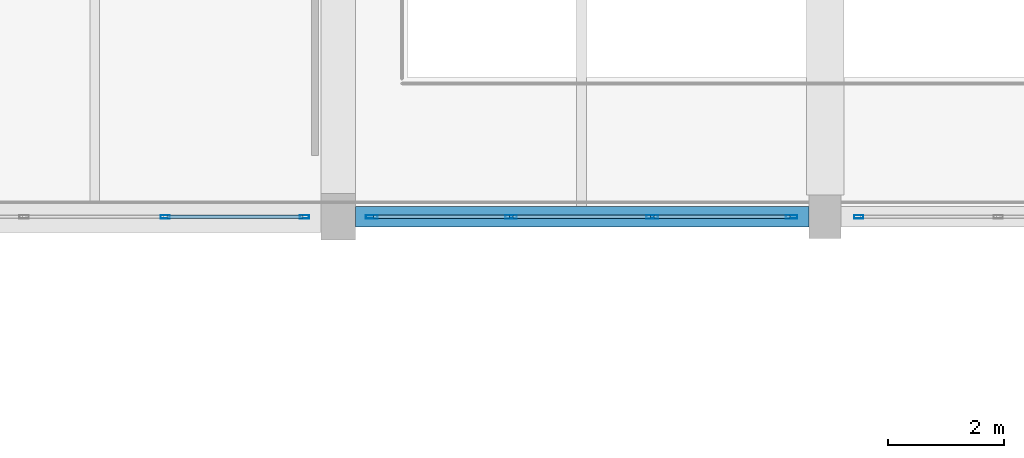
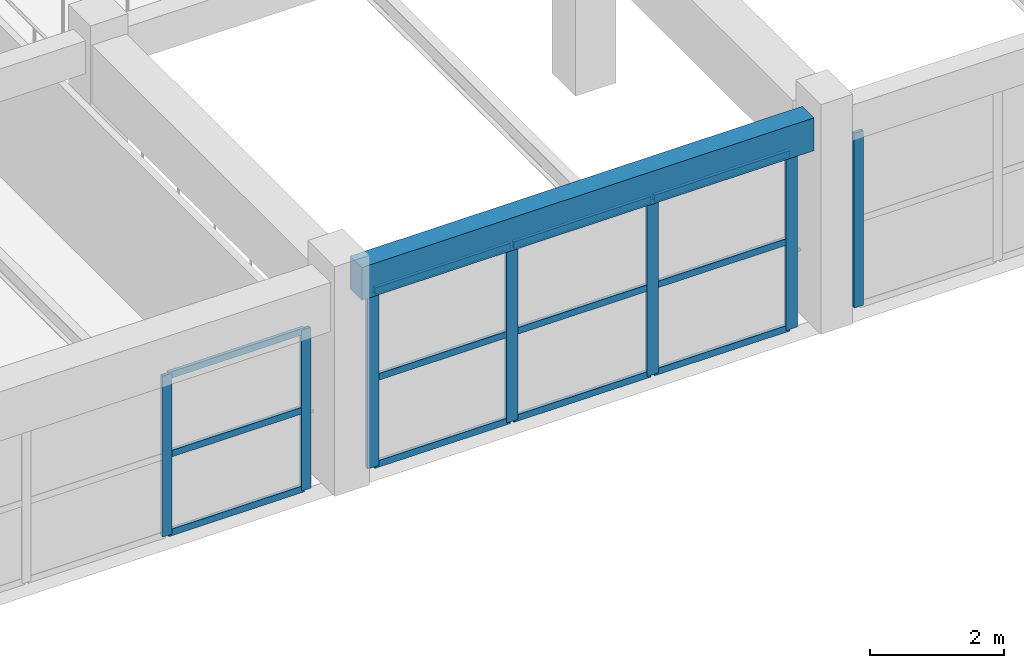
# One storey, part 19 of 71: 19 members, 1 beam, 3 elements without a shape of their own.
"""IFC4 building model written with IfcOpenShell, lengths in metres."""

from ifc_helpers import new_model, si_unit, direction, frame, origin, origin_2d, place, context, subcontext, project, spatial, rectangle, hollow_rectangle, extrude, material, material_profile, profile_set, type_object, element, aggregate, save


model = new_model("IFC4")

# Units and contexts
model_context = context("Model", 3, precision=1e-05, world=origin(), true_north=direction((0.0, 1.0)))
body_context = subcontext(model_context, "Body", "Model", "MODEL_VIEW")
ifc_project = project(units=[si_unit("LENGTHUNIT", "METRE"), si_unit("AREAUNIT", "SQUARE_METRE"), si_unit("VOLUMEUNIT", "CUBIC_METRE"), si_unit("PLANEANGLEUNIT", "RADIAN"), si_unit("MASSUNIT", "GRAM", prefix="KILO")], contexts=[model_context])

# Site, building, storey
site_placement = place(None, origin())
site = spatial("IfcSite", under=ifc_project, at=site_placement, CompositionType="ELEMENT")
building_placement = place(site_placement, origin())
building = spatial("IfcBuilding", under=site, at=building_placement, Name="Korsvaeld Concert Hall", CompositionType="ELEMENT")
storey_placement = place(building_placement, frame((0.0, 0.0, 4.800048828125)))
storey = spatial("IfcBuildingStorey", under=building, at=storey_placement, Name="L01", CompositionType="ELEMENT", Elevation=4.800048828125)

# Beam
ifc_material_1 = material(Name="Concrete C35/45", Category="concrete")
ifc_material_profile_1 = material_profile(ifc_material_1, rectangle(XDim=0.35009765625, YDim=0.60009765625, at=origin_2d()), Name="RC 350x600")
ifc_profile_set_1 = profile_set([ifc_material_profile_1], Name="Concrete C35/45")
beam_type = type_object("IfcBeamType", Name="BM-RC-350x600", PredefinedType="T_BEAM", material=ifc_profile_set_1)
beam_placement = place(storey_placement, frame((92.699951171875, 28.800048828125, 3.5400390625), z_axis=(1.0, 0.0, 0.0), x_axis=(0.0, 1.0, 0.0)))
element("IfcBeam", 1, at=beam_placement, inside=storey, type_object=beam_type, Name="Primary girder 13-14/E L01", PredefinedType="T_BEAM", context=body_context, shape_type="SweptSolid", body=[
    extrude(rectangle(XDim=0.35009765625, YDim=0.60009765625, at=origin_2d()), origin(), (0.0, 0.0, 1.0), 7.824951171875),
])

# Curtain wall, member
ifc_material_2 = material(Name="Anodised bronze and ceramic-fritted safety glass", Category="glass")
curtain_wall_type_1 = type_object("IfcCurtainWallType", Name="CW-TYPE-15", PredefinedType="USERDEFINED", material=ifc_material_2)
curtain_wall_1_placement = place(storey_placement, origin())
curtain_wall_1 = element("IfcCurtainWall", 2, at=curtain_wall_1_placement, inside=storey, type_object=curtain_wall_type_1, Name="Wintergarden foyer curtain wall L01-07", ObjectType="CURTAIN WALL", PredefinedType="USERDEFINED")
ifc_material_3 = material(Name="Anodised architectural bronze aluminium", Category="aluminium")
ifc_material_profile_2 = material_profile(ifc_material_3, hollow_rectangle(XDim=0.06005859375, YDim=0.159912109375, WallThickness=0.00390625, at=origin_2d()), Name="CWM 160x60x4")
ifc_profile_set_2 = profile_set([ifc_material_profile_2], Name="Anodised architectural bronze aluminium")
member_type_1 = type_object("IfcMemberType", Name="CWM-ALUM-160x60", PredefinedType="MULLION", material=ifc_profile_set_2)
member_1_placement = place(storey_placement, frame((101.3798828125, 28.800048828125, 0.0), z_axis=(0.0, 0.0, 1.0), x_axis=(0.0, -1.0, 0.0)))
member_1 = element("IfcMember", 3, at=member_1_placement, type_object=member_type_1, Name="CW-15 mullion 4", PredefinedType="MULLION", context=body_context, shape_type="SweptSolid", body=[
    extrude(hollow_rectangle(XDim=0.06005859375, YDim=0.159912109375, WallThickness=0.00390625, at=origin_2d()), origin(), (0.0, 0.0, 1.0), 3.18994140625),
])
aggregate(curtain_wall_1, [member_1])

# Curtain wall, members
curtain_wall_type_2 = type_object("IfcCurtainWallType", Name="CW-TYPE-09", PredefinedType="USERDEFINED", material=ifc_material_2)
curtain_wall_2_placement = place(storey_placement, origin())
curtain_wall_2 = element("IfcCurtainWall", 4, at=curtain_wall_2_placement, inside=storey, type_object=curtain_wall_type_2, Name="Wintergarden foyer curtain wall L01-09", ObjectType="CURTAIN WALL", PredefinedType="USERDEFINED")
member_2_placement = place(storey_placement, frame((91.820068359375, 28.800048828125, 0.0), z_axis=(0.0, 0.0, 1.0), x_axis=(0.0, -1.0, 0.0)))
member_2 = element("IfcMember", 5, at=member_2_placement, type_object=member_type_1, Name="CW-09 mullion 1", PredefinedType="MULLION", context=body_context, shape_type="SweptSolid", body=[
    extrude(hollow_rectangle(XDim=0.06005859375, YDim=0.159912109375, WallThickness=0.00390625, at=origin_2d()), origin(), (0.0, 0.0, 1.0), 2.93994140625),
])
member_3_placement = place(storey_placement, frame((89.416748046875, 28.800048828125, 0.0), z_axis=(0.0, 0.0, 1.0), x_axis=(0.0, -1.0, 0.0)))
member_3 = element("IfcMember", 6, at=member_3_placement, type_object=member_type_1, Name="CW-09 mullion 2", PredefinedType="MULLION", context=body_context, shape_type="SweptSolid", body=[
    extrude(hollow_rectangle(XDim=0.06005859375, YDim=0.159912109375, WallThickness=0.00390625, at=origin_2d()), origin(), (0.0, 0.0, 1.0), 2.93994140625),
])

curtain_wall_type_3 = type_object("IfcCurtainWallType", Name="CW-TYPE-08", PredefinedType="USERDEFINED", material=ifc_material_2)
curtain_wall_3_placement = place(storey_placement, origin())
curtain_wall_3 = element("IfcCurtainWall", 7, at=curtain_wall_3_placement, inside=storey, type_object=curtain_wall_type_3, Name="Wintergarden foyer curtain wall L01-08", ObjectType="CURTAIN WALL", PredefinedType="USERDEFINED")
ifc_material_profile_3 = material_profile(ifc_material_3, hollow_rectangle(XDim=0.06005859375, YDim=0.199951171875, WallThickness=0.0048828125, at=origin_2d()), Name="CWM 200x60x5")
ifc_profile_set_3 = profile_set([ifc_material_profile_3], Name="Anodised architectural bronze aluminium")
member_type_2 = type_object("IfcMemberType", Name="CWM-ALUM-200x60", PredefinedType="MULLION", material=ifc_profile_set_3)
member_4_placement = place(storey_placement, frame((100.219970703125, 28.800048828125, 0.0), z_axis=(0.0, 0.0, 1.0), x_axis=(0.0, -1.0, 0.0)))
member_4 = element("IfcMember", 8, at=member_4_placement, type_object=member_type_2, Name="CW-08 mullion 1", PredefinedType="MULLION", context=body_context, shape_type="SweptSolid", body=[
    extrude(hollow_rectangle(XDim=0.06005859375, YDim=0.199951171875, WallThickness=0.0048828125, at=origin_2d()), origin(), (0.0, 0.0, 1.0), 3.239990234375),
])
member_5_placement = place(storey_placement, frame((97.816650390625, 28.800048828125, 0.0), z_axis=(0.0, 0.0, 1.0), x_axis=(0.0, -1.0, 0.0)))
member_5 = element("IfcMember", 9, at=member_5_placement, type_object=member_type_2, Name="CW-08 mullion 2", PredefinedType="MULLION", context=body_context, shape_type="SweptSolid", body=[
    extrude(hollow_rectangle(XDim=0.06005859375, YDim=0.199951171875, WallThickness=0.0048828125, at=origin_2d()), origin(), (0.0, 0.0, 1.0), 3.239990234375),
])
member_6_placement = place(storey_placement, frame((95.38330078125, 28.800048828125, 0.0), z_axis=(0.0, 0.0, 1.0), x_axis=(0.0, -1.0, 0.0)))
member_6 = element("IfcMember", 10, at=member_6_placement, type_object=member_type_2, Name="CW-08 mullion 3", PredefinedType="MULLION", context=body_context, shape_type="SweptSolid", body=[
    extrude(hollow_rectangle(XDim=0.06005859375, YDim=0.199951171875, WallThickness=0.0048828125, at=origin_2d()), origin(), (0.0, 0.0, 1.0), 3.239990234375),
])
member_7_placement = place(storey_placement, frame((92.97998046875, 28.800048828125, 0.0), z_axis=(0.0, 0.0, 1.0), x_axis=(0.0, -1.0, 0.0)))
member_7 = element("IfcMember", 11, at=member_7_placement, type_object=member_type_2, Name="CW-08 mullion 4", PredefinedType="MULLION", context=body_context, shape_type="SweptSolid", body=[
    extrude(hollow_rectangle(XDim=0.06005859375, YDim=0.199951171875, WallThickness=0.0048828125, at=origin_2d()), origin(), (0.0, 0.0, 1.0), 3.239990234375),
])
ifc_material_profile_4 = material_profile(ifc_material_3, hollow_rectangle(XDim=0.06005859375, YDim=0.1201171875, WallThickness=0.00390625, at=origin_2d()), Name="CWT 120x60x4")
ifc_profile_set_4 = profile_set([ifc_material_profile_4], Name="Anodised architectural bronze aluminium")
member_type_3 = type_object("IfcMemberType", Name="CWT-ALUM-120x60", PredefinedType="USERDEFINED", material=ifc_profile_set_4)
member_8_placement = place(storey_placement, frame((100.18994140625, 28.800048828125, 0.030029296875), z_axis=(-1.0, 0.0, 0.0), x_axis=(0.0, -1.0, 0.0)))
member_8 = element("IfcMember", 12, at=member_8_placement, type_object=member_type_3, Name="CW-08 transom 1.1", ObjectType="TRANSOM", PredefinedType="USERDEFINED", context=body_context, shape_type="SweptSolid", body=[
    extrude(hollow_rectangle(XDim=0.06005859375, YDim=0.1201171875, WallThickness=0.00390625, at=origin_2d()), origin(), (0.0, 0.0, 1.0), 2.34326171875),
])
member_9_placement = place(storey_placement, frame((100.18994140625, 28.800048828125, 1.619873046875), z_axis=(-1.0, 0.0, 0.0), x_axis=(0.0, -1.0, 0.0)))
member_9 = element("IfcMember", 13, at=member_9_placement, type_object=member_type_3, Name="CW-08 transom 1.2", ObjectType="TRANSOM", PredefinedType="USERDEFINED", context=body_context, shape_type="SweptSolid", body=[
    extrude(hollow_rectangle(XDim=0.06005859375, YDim=0.1201171875, WallThickness=0.00390625, at=origin_2d()), origin(), (0.0, 0.0, 1.0), 2.34326171875),
])
member_10_placement = place(storey_placement, frame((100.18994140625, 28.800048828125, 3.2099609375), z_axis=(-1.0, 0.0, 0.0), x_axis=(0.0, -1.0, 0.0)))
member_10 = element("IfcMember", 14, at=member_10_placement, type_object=member_type_3, Name="CW-08 transom 1.3", ObjectType="TRANSOM", PredefinedType="USERDEFINED", context=body_context, shape_type="SweptSolid", body=[
    extrude(hollow_rectangle(XDim=0.06005859375, YDim=0.1201171875, WallThickness=0.00390625, at=origin_2d()), origin(), (0.0, 0.0, 1.0), 2.34326171875),
])
member_11_placement = place(storey_placement, frame((97.78662109375, 28.800048828125, 0.030029296875), z_axis=(-1.0, 0.0, 0.0), x_axis=(0.0, -1.0, 0.0)))
member_11 = element("IfcMember", 15, at=member_11_placement, type_object=member_type_3, Name="CW-08 transom 2.1", ObjectType="TRANSOM", PredefinedType="USERDEFINED", context=body_context, shape_type="SweptSolid", body=[
    extrude(hollow_rectangle(XDim=0.06005859375, YDim=0.1201171875, WallThickness=0.00390625, at=origin_2d()), origin(), (0.0, 0.0, 1.0), 2.373291015625),
])
member_12_placement = place(storey_placement, frame((97.78662109375, 28.800048828125, 1.619873046875), z_axis=(-1.0, 0.0, 0.0), x_axis=(0.0, -1.0, 0.0)))
member_12 = element("IfcMember", 16, at=member_12_placement, type_object=member_type_3, Name="CW-08 transom 2.2", ObjectType="TRANSOM", PredefinedType="USERDEFINED", context=body_context, shape_type="SweptSolid", body=[
    extrude(hollow_rectangle(XDim=0.06005859375, YDim=0.1201171875, WallThickness=0.00390625, at=origin_2d()), origin(), (0.0, 0.0, 1.0), 2.373291015625),
])
member_13_placement = place(storey_placement, frame((97.78662109375, 28.800048828125, 3.2099609375), z_axis=(-1.0, 0.0, 0.0), x_axis=(0.0, -1.0, 0.0)))
member_13 = element("IfcMember", 17, at=member_13_placement, type_object=member_type_3, Name="CW-08 transom 2.3", ObjectType="TRANSOM", PredefinedType="USERDEFINED", context=body_context, shape_type="SweptSolid", body=[
    extrude(hollow_rectangle(XDim=0.06005859375, YDim=0.1201171875, WallThickness=0.00390625, at=origin_2d()), origin(), (0.0, 0.0, 1.0), 2.373291015625),
])
member_14_placement = place(storey_placement, frame((95.353271484375, 28.800048828125, 0.030029296875), z_axis=(-1.0, 0.0, 0.0), x_axis=(0.0, -1.0, 0.0)))
member_14 = element("IfcMember", 18, at=member_14_placement, type_object=member_type_3, Name="CW-08 transom 3.1", ObjectType="TRANSOM", PredefinedType="USERDEFINED", context=body_context, shape_type="SweptSolid", body=[
    extrude(hollow_rectangle(XDim=0.06005859375, YDim=0.1201171875, WallThickness=0.00390625, at=origin_2d()), origin(), (0.0, 0.0, 1.0), 2.34326171875),
])
member_15_placement = place(storey_placement, frame((95.353271484375, 28.800048828125, 1.619873046875), z_axis=(-1.0, 0.0, 0.0), x_axis=(0.0, -1.0, 0.0)))
member_15 = element("IfcMember", 19, at=member_15_placement, type_object=member_type_3, Name="CW-08 transom 3.2", ObjectType="TRANSOM", PredefinedType="USERDEFINED", context=body_context, shape_type="SweptSolid", body=[
    extrude(hollow_rectangle(XDim=0.06005859375, YDim=0.1201171875, WallThickness=0.00390625, at=origin_2d()), origin(), (0.0, 0.0, 1.0), 2.34326171875),
])
member_16_placement = place(storey_placement, frame((95.353271484375, 28.800048828125, 3.2099609375), z_axis=(-1.0, 0.0, 0.0), x_axis=(0.0, -1.0, 0.0)))
member_16 = element("IfcMember", 20, at=member_16_placement, type_object=member_type_3, Name="CW-08 transom 3.3", ObjectType="TRANSOM", PredefinedType="USERDEFINED", context=body_context, shape_type="SweptSolid", body=[
    extrude(hollow_rectangle(XDim=0.06005859375, YDim=0.1201171875, WallThickness=0.00390625, at=origin_2d()), origin(), (0.0, 0.0, 1.0), 2.34326171875),
])
aggregate(curtain_wall_3, [member_4, member_5, member_6, member_7, member_8, member_9, member_10, member_11, member_12, member_13, member_14, member_15, member_16])

# Member
member_17_placement = place(storey_placement, frame((91.7900390625, 28.800048828125, 0.030029296875), z_axis=(-1.0, 0.0, 0.0), x_axis=(0.0, -1.0, 0.0)))
member_17 = element("IfcMember", 21, at=member_17_placement, type_object=member_type_3, Name="CW-09 transom 1.1", ObjectType="TRANSOM", PredefinedType="USERDEFINED", context=body_context, shape_type="SweptSolid", body=[
    extrude(hollow_rectangle(XDim=0.06005859375, YDim=0.1201171875, WallThickness=0.00390625, at=origin_2d()), origin(), (0.0, 0.0, 1.0), 2.34326171875),
])

member_18_placement = place(storey_placement, frame((91.7900390625, 28.800048828125, 1.469970703125), z_axis=(-1.0, 0.0, 0.0), x_axis=(0.0, -1.0, 0.0)))
member_18 = element("IfcMember", 22, at=member_18_placement, type_object=member_type_3, Name="CW-09 transom 1.2", ObjectType="TRANSOM", PredefinedType="USERDEFINED", context=body_context, shape_type="SweptSolid", body=[
    extrude(hollow_rectangle(XDim=0.06005859375, YDim=0.1201171875, WallThickness=0.00390625, at=origin_2d()), origin(), (0.0, 0.0, 1.0), 2.34326171875),
])

member_19_placement = place(storey_placement, frame((91.7900390625, 28.800048828125, 2.909912109375), z_axis=(-1.0, 0.0, 0.0), x_axis=(0.0, -1.0, 0.0)))
member_19 = element("IfcMember", 23, at=member_19_placement, type_object=member_type_3, Name="CW-09 transom 1.3", ObjectType="TRANSOM", PredefinedType="USERDEFINED", context=body_context, shape_type="SweptSolid", body=[
    extrude(hollow_rectangle(XDim=0.06005859375, YDim=0.1201171875, WallThickness=0.00390625, at=origin_2d()), origin(), (0.0, 0.0, 1.0), 2.34326171875),
])

aggregate(curtain_wall_2, [member_2, member_3, member_17, member_18, member_19])

save(model, "model.ifc")
